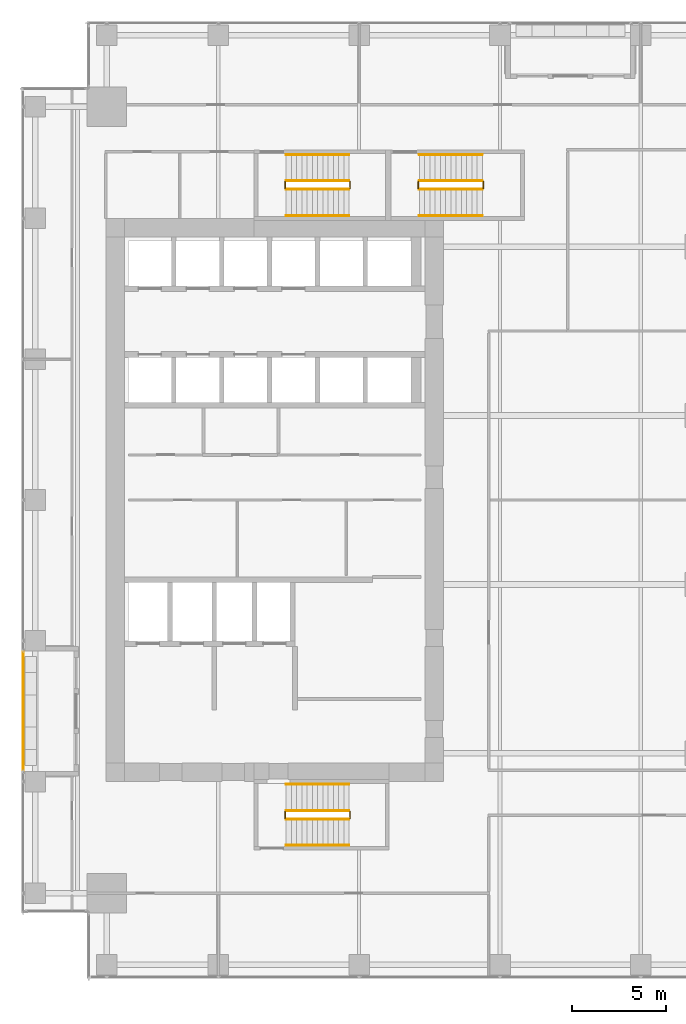
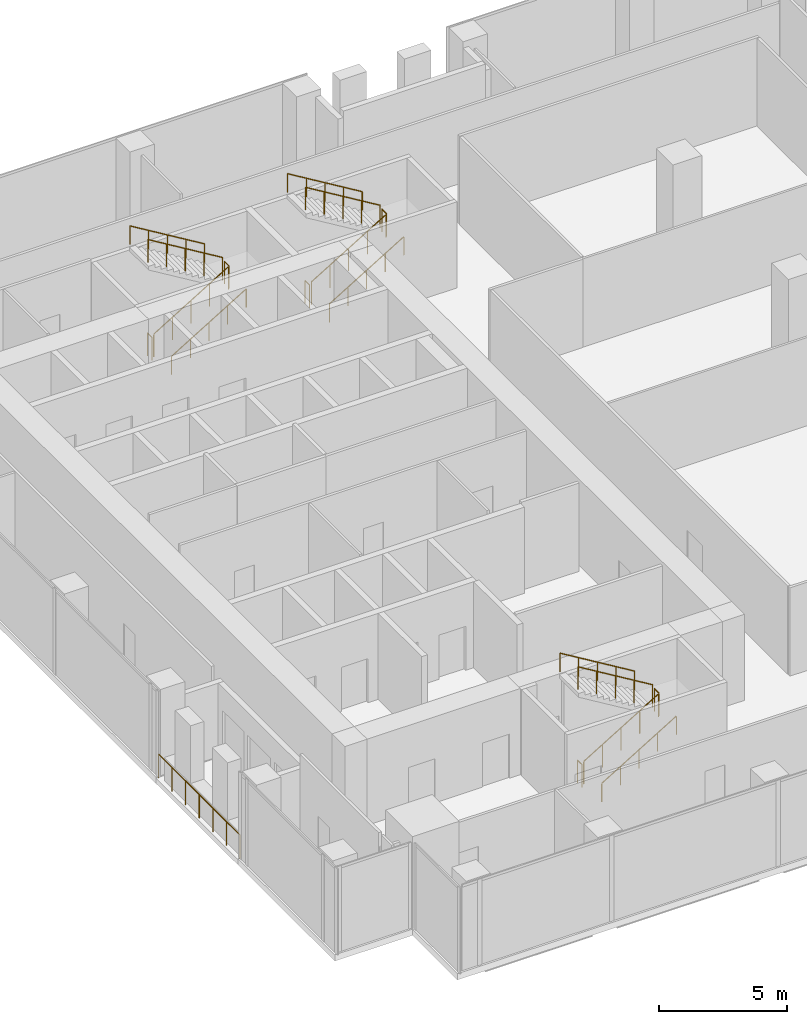
# One storey, part 31 of 33: 19 railings.
"""IFC4 building model written with IfcOpenShell, lengths in metres."""

from ifc_helpers import new_model, si_unit, direction, frame, origin, origin_2d, place, context, subcontext, project, spatial, circle, extrude, source, transform, mapped, material, type_object, element, save


model = new_model("IFC4")

# Units and contexts
model_context = context("Model", 3, precision=1e-05, world=origin(), true_north=direction((0.0, 1.0)))
body_context = subcontext(model_context, "Body", "Model", "MODEL_VIEW")
ifc_project = project(units=[si_unit("LENGTHUNIT", "METRE"), si_unit("AREAUNIT", "SQUARE_METRE"), si_unit("VOLUMEUNIT", "CUBIC_METRE"), si_unit("PLANEANGLEUNIT", "RADIAN"), si_unit("MASSUNIT", "GRAM", prefix="KILO")], contexts=[model_context])

# Site, building, storey
site_placement = place(None, origin())
site = spatial("IfcSite", under=ifc_project, at=site_placement, CompositionType="ELEMENT")
building_placement = place(site_placement, origin())
building = spatial("IfcBuilding", under=site, at=building_placement, Name="Khomas Fold Tower", CompositionType="ELEMENT")
storey_placement = place(building_placement, frame((0.0, 0.0, 149.89990234375)))
storey = spatial("IfcBuildingStorey", under=building, at=storey_placement, Name="L32", CompositionType="ELEMENT", Elevation=149.89990234375)

# Railings
ifc_material_1 = material(Name="Powder-coated steel", Category="steel")
railing_type_1 = type_object("IfcRailingType", Name="Balcony guard", PredefinedType="GUARDRAIL", material=ifc_material_1)
shared_shape_1 = source(origin(), body_context, "Body", "SweptSolid", [
    extrude(circle(Radius=0.02490234375, at=origin_2d()), frame((0.0, 0.0, 1.125), z_axis=(0.0, 1.0, 0.0), x_axis=(-1.0, 0.0, 0.0)), (0.0, 0.0, 1.0), 6.33984375),
    extrude(circle(Radius=0.02001953125, at=origin_2d()), origin(), (0.0, 0.0, 1.0), 1.099853515625),
    extrude(circle(Radius=0.02001953125, at=origin_2d()), frame((0.0, 1.056640625, 0.0)), (0.0, 0.0, 1.0), 1.099853515625),
    extrude(circle(Radius=0.02001953125, at=origin_2d()), frame((0.0, 2.11328125, 0.0)), (0.0, 0.0, 1.0), 1.099853515625),
    extrude(circle(Radius=0.02001953125, at=origin_2d()), frame((0.0, 3.169921875, 0.0)), (0.0, 0.0, 1.0), 1.099853515625),
    extrude(circle(Radius=0.02001953125, at=origin_2d()), frame((0.0, 4.2265625, 0.0)), (0.0, 0.0, 1.0), 1.099853515625),
    extrude(circle(Radius=0.02001953125, at=origin_2d()), frame((0.0, 5.283203125, 0.0)), (0.0, 0.0, 1.0), 1.099853515625),
    extrude(circle(Radius=0.02001953125, at=origin_2d()), frame((0.0, 6.33984375, 0.0)), (0.0, 0.0, 1.0), 1.099853515625),
])
railing_1_placement = place(storey_placement, frame((1.60009765625, 12.580078125, -0.044921875)))
element("IfcRailing", 1, at=railing_1_placement, inside=storey, type_object=railing_type_1, Name="Balcony guard BAL-L32-W1", PredefinedType="GUARDRAIL", context=body_context, shape_type="MappedRepresentation", body=[
    mapped(shared_shape_1, transform((0.0, 0.0, 0.0))),
])
ifc_material_2 = material(Name="Steel balustrade", Category="steel")
railing_type_2 = type_object("IfcRailingType", Name="Stair guard", PredefinedType="GUARDRAIL", material=ifc_material_2)
shared_shape_2 = source(origin(), body_context, "Body", "SweptSolid", [
    extrude(circle(Radius=0.02392578125, at=origin_2d()), frame((0.0, 0.0, 1.076171875), z_axis=(0.0, 1.0, 0.0), x_axis=(-1.0, 0.0, 0.0)), (0.0, 0.0, 1.0), 0.349853515625),
    extrude(circle(Radius=0.02099609375, at=origin_2d()), origin(), (0.0, 0.0, 1.0), 1.052001953125),
    extrude(circle(Radius=0.02099609375, at=origin_2d()), frame((0.0, 0.349853515625, 0.0)), (0.0, 0.0, 1.0), 1.052001953125),
])
for number, where, name in (
    (2, (19.010009765625, 43.60009765625, 2.2001953125), "L32 ST1 stair guard 2"),
    (3, (15.550048828125, 43.60009765625, 0.0), "L32 ST1 stair guard 4"),
    (4, (19.010009765625, 10.050048828125, 2.2001953125), "L32 ST2 stair guard 2"),
    (5, (15.550048828125, 10.050048828125, 0.0), "L32 ST2 stair guard 4"),
    (6, (26.110107421875, 43.60009765625, 2.2001953125), "L32 ST3 stair guard 2"),
    (7, (22.64990234375, 43.60009765625, 0.0), "L32 ST3 stair guard 4"),
):
    element("IfcRailing", number, at=place(storey_placement, frame(where)), inside=storey, type_object=railing_type_2, Name=name, PredefinedType="GUARDRAIL", context=body_context, shape_type="MappedRepresentation", body=[
        mapped(shared_shape_2, transform((0.0, 0.0, 0.0))),
    ])
shared_shape_3 = source(origin(), body_context, "Body", "SweptSolid", [
    extrude(circle(Radius=0.02392578125, at=origin_2d()), frame((0.0, 0.0, 1.076171875), z_axis=(0.855820338506, 0.0, 0.51727318527), x_axis=(0.0, 1.0, 0.0)), (0.0, 0.0, 1.0), 3.92578125),
    extrude(circle(Radius=0.02099609375, at=origin_2d()), origin(), (0.0, 0.0, 1.0), 1.052001953125),
    extrude(circle(Radius=0.02099609375, at=origin_2d()), frame((0.83984375, 0.0, 0.5078125)), (0.0, 0.0, 1.0), 1.052001953125),
    extrude(circle(Radius=0.02099609375, at=origin_2d()), frame((1.679931640625, 0.0, 1.015380859375)), (0.0, 0.0, 1.0), 1.052001953125),
    extrude(circle(Radius=0.02099609375, at=origin_2d()), frame((2.52001953125, 0.0, 1.52294921875)), (0.0, 0.0, 1.0), 1.052001953125),
    extrude(circle(Radius=0.02099609375, at=origin_2d()), frame((3.35986328125, 0.0, 2.03076171875)), (0.0, 0.0, 1.0), 1.052001953125),
])
for number, where, name in (
    (8, (15.60009765625, 43.550048828125, 0.16943359375), "L32 ST1 stair guard 1"),
    (9, (15.60009765625, 10.0, 0.16943359375), "L32 ST2 stair guard 1"),
):
    element("IfcRailing", number, at=place(storey_placement, frame(where)), inside=storey, type_object=railing_type_2, Name=name, PredefinedType="GUARDRAIL", context=body_context, shape_type="MappedRepresentation", body=[
        mapped(shared_shape_3, transform((0.0, 0.0, 0.0))),
    ])
shared_shape_4 = source(origin(), body_context, "Body", "SweptSolid", [
    extrude(circle(Radius=0.02392578125, at=origin_2d()), frame((0.0, 0.0, 1.076171875), z_axis=(-0.855820338506, 0.0, 0.51727318527), x_axis=(0.0, -1.0, 0.0)), (0.0, 0.0, 1.0), 3.92578125),
    extrude(circle(Radius=0.02099609375, at=origin_2d()), origin(), (0.0, 0.0, 1.0), 1.052001953125),
    extrude(circle(Radius=0.02099609375, at=origin_2d()), frame((-0.83984375, 0.0, 0.5078125)), (0.0, 0.0, 1.0), 1.052001953125),
    extrude(circle(Radius=0.02099609375, at=origin_2d()), frame((-1.679931640625, 0.0, 1.015380859375)), (0.0, 0.0, 1.0), 1.052001953125),
    extrude(circle(Radius=0.02099609375, at=origin_2d()), frame((-2.52001953125, 0.0, 1.52294921875)), (0.0, 0.0, 1.0), 1.052001953125),
    extrude(circle(Radius=0.02099609375, at=origin_2d()), frame((-3.35986328125, 0.0, 2.03076171875)), (0.0, 0.0, 1.0), 1.052001953125),
])
for number, where, name in (
    (10, (18.9599609375, 44.0, 2.369384765625), "L32 ST1 stair guard 3"),
    (11, (18.9599609375, 10.449951171875, 2.369384765625), "L32 ST2 stair guard 3"),
):
    element("IfcRailing", number, at=place(storey_placement, frame(where)), inside=storey, type_object=railing_type_2, Name=name, PredefinedType="GUARDRAIL", context=body_context, shape_type="MappedRepresentation", body=[
        mapped(shared_shape_4, transform((0.0, 0.0, 0.0))),
    ])
ifc_material_3 = material(Name="Steel handrail", Category="steel")
railing_type_3 = type_object("IfcRailingType", Name="Stair handrail", PredefinedType="HANDRAIL", material=ifc_material_3)
shared_shape_5 = source(origin(), body_context, "Body", "SweptSolid", [
    extrude(circle(Radius=0.02392578125, at=origin_2d()), frame((0.0, 0.0, 0.8759765625), z_axis=(0.855820338506, 0.0, 0.51727318527), x_axis=(0.0, 1.0, 0.0)), (0.0, 0.0, 1.0), 3.92578125),
    extrude(circle(Radius=0.02099609375, at=origin_2d()), origin(), (0.0, 0.0, 1.0), 0.851806640625),
    extrude(circle(Radius=0.02099609375, at=origin_2d()), frame((0.83984375, 0.0, 0.5078125)), (0.0, 0.0, 1.0), 0.851806640625),
    extrude(circle(Radius=0.02099609375, at=origin_2d()), frame((1.679931640625, 0.0, 1.015380859375)), (0.0, 0.0, 1.0), 0.851806640625),
    extrude(circle(Radius=0.02099609375, at=origin_2d()), frame((2.52001953125, 0.0, 1.52294921875)), (0.0, 0.0, 1.0), 0.851806640625),
    extrude(circle(Radius=0.02099609375, at=origin_2d()), frame((3.35986328125, 0.0, 2.03076171875)), (0.0, 0.0, 1.0), 0.851806640625),
])
for number, where, name in (
    (12, (15.60009765625, 42.14990234375, 0.16943359375), "L32 ST1 stair handrail 1"),
    (13, (15.60009765625, 8.60009765625, 0.16943359375), "L32 ST2 stair handrail 1"),
):
    element("IfcRailing", number, at=place(storey_placement, frame(where)), inside=storey, type_object=railing_type_3, Name=name, PredefinedType="HANDRAIL", context=body_context, shape_type="MappedRepresentation", body=[
        mapped(shared_shape_5, transform((0.0, 0.0, 0.0))),
    ])
shared_shape_6 = source(origin(), body_context, "Body", "SweptSolid", [
    extrude(circle(Radius=0.02392578125, at=origin_2d()), frame((0.0, 0.0, 0.8759765625), z_axis=(-0.855820338506, 0.0, 0.51727318527), x_axis=(0.0, -1.0, 0.0)), (0.0, 0.0, 1.0), 3.92578125),
    extrude(circle(Radius=0.02099609375, at=origin_2d()), origin(), (0.0, 0.0, 1.0), 0.851806640625),
    extrude(circle(Radius=0.02099609375, at=origin_2d()), frame((-0.83984375, 0.0, 0.5078125)), (0.0, 0.0, 1.0), 0.851806640625),
    extrude(circle(Radius=0.02099609375, at=origin_2d()), frame((-1.679931640625, 0.0, 1.015380859375)), (0.0, 0.0, 1.0), 0.851806640625),
    extrude(circle(Radius=0.02099609375, at=origin_2d()), frame((-2.52001953125, 0.0, 1.52294921875)), (0.0, 0.0, 1.0), 0.851806640625),
    extrude(circle(Radius=0.02099609375, at=origin_2d()), frame((-3.35986328125, 0.0, 2.03076171875)), (0.0, 0.0, 1.0), 0.851806640625),
])
for number, where, name in (
    (14, (18.9599609375, 45.39990234375, 2.369384765625), "L32 ST1 stair handrail 2"),
    (15, (18.9599609375, 11.85009765625, 2.369384765625), "L32 ST2 stair handrail 2"),
):
    element("IfcRailing", number, at=place(storey_placement, frame(where)), inside=storey, type_object=railing_type_3, Name=name, PredefinedType="HANDRAIL", context=body_context, shape_type="MappedRepresentation", body=[
        mapped(shared_shape_6, transform((0.0, 0.0, 0.0))),
    ])
shared_shape_7 = source(origin(), body_context, "Body", "SweptSolid", [
    extrude(circle(Radius=0.02392578125, at=origin_2d()), frame((0.0, 0.0, 1.076171875), z_axis=(0.855836976705, 0.0, 0.517245656632), x_axis=(0.0, 1.0, 0.0)), (0.0, 0.0, 1.0), 3.926025390625),
    extrude(circle(Radius=0.02099609375, at=origin_2d()), origin(), (0.0, 0.0, 1.0), 1.052001953125),
    extrude(circle(Radius=0.02099609375, at=origin_2d()), frame((0.840087890625, 0.0, 0.5078125)), (0.0, 0.0, 1.0), 1.052001953125),
    extrude(circle(Radius=0.02099609375, at=origin_2d()), frame((1.68017578125, 0.0, 1.015380859375)), (0.0, 0.0, 1.0), 1.052001953125),
    extrude(circle(Radius=0.02099609375, at=origin_2d()), frame((2.52001953125, 0.0, 1.52294921875)), (0.0, 0.0, 1.0), 1.052001953125),
    extrude(circle(Radius=0.02099609375, at=origin_2d()), frame((3.360107421875, 0.0, 2.03076171875)), (0.0, 0.0, 1.0), 1.052001953125),
])
railing_2_placement = place(storey_placement, frame((22.699951171875, 43.550048828125, 0.16943359375)))
element("IfcRailing", 16, at=railing_2_placement, inside=storey, type_object=railing_type_2, Name="L32 ST3 stair guard 1", PredefinedType="GUARDRAIL", context=body_context, shape_type="MappedRepresentation", body=[
    mapped(shared_shape_7, transform((0.0, 0.0, 0.0))),
])
shared_shape_8 = source(origin(), body_context, "Body", "SweptSolid", [
    extrude(circle(Radius=0.02392578125, at=origin_2d()), frame((0.0, 0.0, 1.076171875), z_axis=(-0.855836976705, 0.0, 0.517245656632), x_axis=(0.0, -1.0, 0.0)), (0.0, 0.0, 1.0), 3.926025390625),
    extrude(circle(Radius=0.02099609375, at=origin_2d()), origin(), (0.0, 0.0, 1.0), 1.052001953125),
    extrude(circle(Radius=0.02099609375, at=origin_2d()), frame((-0.840087890625, 0.0, 0.5078125)), (0.0, 0.0, 1.0), 1.052001953125),
    extrude(circle(Radius=0.02099609375, at=origin_2d()), frame((-1.68017578125, 0.0, 1.015380859375)), (0.0, 0.0, 1.0), 1.052001953125),
    extrude(circle(Radius=0.02099609375, at=origin_2d()), frame((-2.52001953125, 0.0, 1.52294921875)), (0.0, 0.0, 1.0), 1.052001953125),
    extrude(circle(Radius=0.02099609375, at=origin_2d()), frame((-3.360107421875, 0.0, 2.03076171875)), (0.0, 0.0, 1.0), 1.052001953125),
])
railing_3_placement = place(storey_placement, frame((26.06005859375, 44.0, 2.369384765625)))
element("IfcRailing", 17, at=railing_3_placement, inside=storey, type_object=railing_type_2, Name="L32 ST3 stair guard 3", PredefinedType="GUARDRAIL", context=body_context, shape_type="MappedRepresentation", body=[
    mapped(shared_shape_8, transform((0.0, 0.0, 0.0))),
])
shared_shape_9 = source(origin(), body_context, "Body", "SweptSolid", [
    extrude(circle(Radius=0.02392578125, at=origin_2d()), frame((0.0, 0.0, 0.8759765625), z_axis=(0.855836976705, 0.0, 0.517245656632), x_axis=(0.0, 1.0, 0.0)), (0.0, 0.0, 1.0), 3.926025390625),
    extrude(circle(Radius=0.02099609375, at=origin_2d()), origin(), (0.0, 0.0, 1.0), 0.851806640625),
    extrude(circle(Radius=0.02099609375, at=origin_2d()), frame((0.840087890625, 0.0, 0.5078125)), (0.0, 0.0, 1.0), 0.851806640625),
    extrude(circle(Radius=0.02099609375, at=origin_2d()), frame((1.68017578125, 0.0, 1.015380859375)), (0.0, 0.0, 1.0), 0.851806640625),
    extrude(circle(Radius=0.02099609375, at=origin_2d()), frame((2.52001953125, 0.0, 1.52294921875)), (0.0, 0.0, 1.0), 0.851806640625),
    extrude(circle(Radius=0.02099609375, at=origin_2d()), frame((3.360107421875, 0.0, 2.03076171875)), (0.0, 0.0, 1.0), 0.851806640625),
])
railing_4_placement = place(storey_placement, frame((22.699951171875, 42.14990234375, 0.16943359375)))
element("IfcRailing", 18, at=railing_4_placement, inside=storey, type_object=railing_type_3, Name="L32 ST3 stair handrail 1", PredefinedType="HANDRAIL", context=body_context, shape_type="MappedRepresentation", body=[
    mapped(shared_shape_9, transform((0.0, 0.0, 0.0))),
])
shared_shape_10 = source(origin(), body_context, "Body", "SweptSolid", [
    extrude(circle(Radius=0.02392578125, at=origin_2d()), frame((0.0, 0.0, 0.8759765625), z_axis=(-0.855836976705, 0.0, 0.517245656632), x_axis=(0.0, -1.0, 0.0)), (0.0, 0.0, 1.0), 3.926025390625),
    extrude(circle(Radius=0.02099609375, at=origin_2d()), origin(), (0.0, 0.0, 1.0), 0.851806640625),
    extrude(circle(Radius=0.02099609375, at=origin_2d()), frame((-0.840087890625, 0.0, 0.5078125)), (0.0, 0.0, 1.0), 0.851806640625),
    extrude(circle(Radius=0.02099609375, at=origin_2d()), frame((-1.68017578125, 0.0, 1.015380859375)), (0.0, 0.0, 1.0), 0.851806640625),
    extrude(circle(Radius=0.02099609375, at=origin_2d()), frame((-2.52001953125, 0.0, 1.52294921875)), (0.0, 0.0, 1.0), 0.851806640625),
    extrude(circle(Radius=0.02099609375, at=origin_2d()), frame((-3.360107421875, 0.0, 2.03076171875)), (0.0, 0.0, 1.0), 0.851806640625),
])
railing_5_placement = place(storey_placement, frame((26.06005859375, 45.39990234375, 2.369384765625)))
element("IfcRailing", 19, at=railing_5_placement, inside=storey, type_object=railing_type_3, Name="L32 ST3 stair handrail 2", PredefinedType="HANDRAIL", context=body_context, shape_type="MappedRepresentation", body=[
    mapped(shared_shape_10, transform((0.0, 0.0, 0.0))),
])

save(model, "model.ifc")
